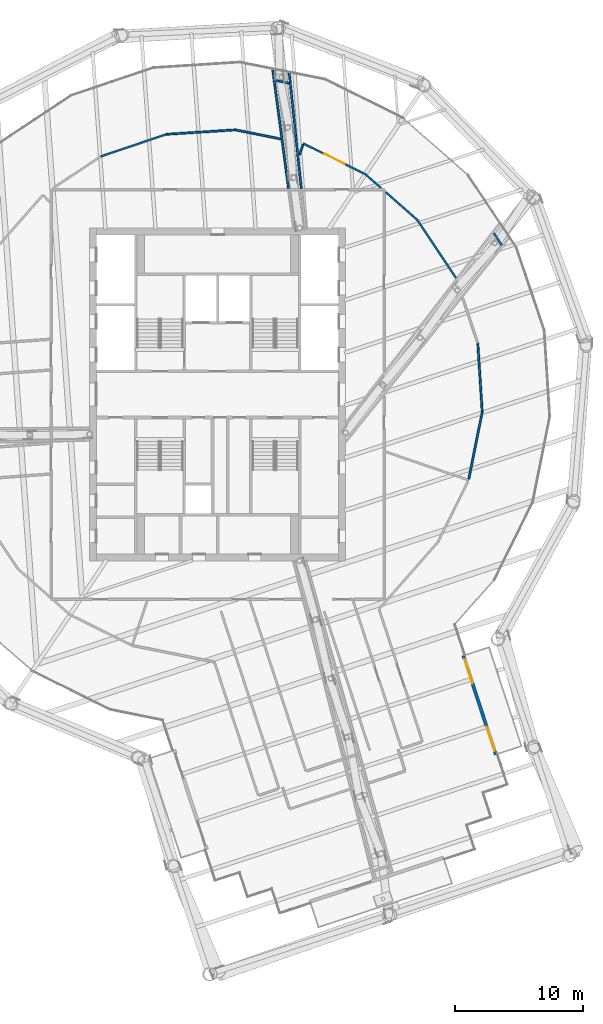
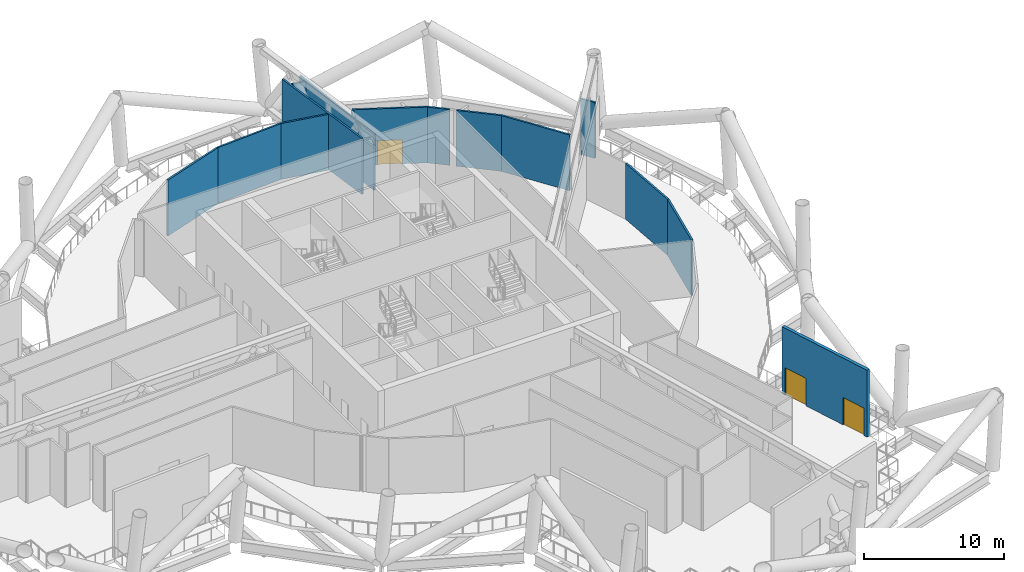
# One storey, part 13 of 33: 15 walls, 3 doors, 3 openings.
"""IFC4 building model written with IfcOpenShell, lengths in metres."""

import ifcopenshell
import ifcopenshell.guid

model = None  # the IFC model being written
_history = None  # IfcOwnerHistory: only IFC2X3 demands one
_inside = {}  # id of a spatial element -> (the spatial element, [elements in it])
_under = {}  # id of a project, library or spatial element -> (it, [spatial elements below it])
_declared = {}  # id of a project -> (the project, [libraries it declares])
_typed = {}  # id of a type object -> (the type object, [elements of that type])
_made_of = {}  # id of a material, layer set ... -> (it, [elements and type objects made of it])


def new_model(schema):
    """Start an empty IFC model of exactly this schema.

    Asked for "IFC4X3", IfcOpenShell would pick the latest addendum, in which some entities
    have other attributes; the version numbers below select the first issue.
    IFC2X3 requires an IfcOwnerHistory on every rooted entity: one is made here for all.
    """
    global model, _history
    if schema == "IFC4X3":
        model = ifcopenshell.file(schema_version=(4, 3, 0, 0))
    else:
        model = ifcopenshell.file(schema=schema)
    _inside.clear()
    _under.clear()
    _declared.clear()
    _typed.clear()
    _made_of.clear()
    _history = None
    if model.schema == "IFC2X3":
        org = make("IfcOrganization", Name="unknown")
        user = make(
            "IfcPersonAndOrganization",
            ThePerson=make("IfcPerson", FamilyName="unknown"),
            TheOrganization=org,
        )
        app = make(
            "IfcApplication",
            ApplicationDeveloper=org,
            Version="unknown",
            ApplicationFullName="unknown",
            ApplicationIdentifier="unknown",
        )
        _history = make(
            "IfcOwnerHistory",
            OwningUser=user,
            OwningApplication=app,
            ChangeAction="ADDED",
            CreationDate=0,
        )
    return model


def make(cls, **values):
    """One entity of the class cls with the attributes given. An attribute that is None is left unset."""
    return model.create_entity(
        cls, **{name: value for name, value in values.items() if value is not None}
    )


def rooted(cls, **values):
    """An entity with a GlobalId (a new one), such as an element, a storey or a relation."""
    return make(cls, GlobalId=ifcopenshell.guid.new(), OwnerHistory=_history, **values)


def si_unit(unit_type, name, prefix=None):
    """IfcSIUnit, for example si_unit("LENGTHUNIT", "METRE", prefix="MILLI")."""
    return make("IfcSIUnit", UnitType=unit_type, Prefix=prefix, Name=name)


def assignment(units):
    """IfcUnitAssignment: the units of a project."""
    return None if units is None else make("IfcUnitAssignment", Units=units)


def point(xyz):
    """IfcCartesianPoint."""
    return None if xyz is None else make("IfcCartesianPoint", Coordinates=xyz)


def direction(xyz):
    """IfcDirection."""
    return None if xyz is None else make("IfcDirection", DirectionRatios=xyz)


def frame(location, z_axis=None, x_axis=None):
    """IfcAxis2Placement3D, a coordinate frame: its origin and axes. An axis left out is left unset."""
    return make(
        "IfcAxis2Placement3D",
        Location=point(location),
        Axis=direction(z_axis),
        RefDirection=direction(x_axis),
    )


def frame_2d(location, x_axis=None):
    """IfcAxis2Placement2D, a coordinate frame in the plane: its origin and x axis."""
    return make(
        "IfcAxis2Placement2D", Location=point(location), RefDirection=direction(x_axis)
    )


def origin():
    """The frame at (0, 0, 0) with its axes left unset."""
    return frame((0.0, 0.0, 0.0))


def place(relative_to, where):
    """IfcLocalPlacement: puts the frame where relative to a parent placement (None: the world)."""
    return make(
        "IfcLocalPlacement", PlacementRelTo=relative_to, RelativePlacement=where
    )


def context(
    kind, dimensions, precision=None, world=None, true_north=None, identifier=None
):
    """IfcGeometricRepresentationContext, for example the 3D "Model" context."""
    return make(
        "IfcGeometricRepresentationContext",
        ContextIdentifier=identifier,
        ContextType=kind,
        CoordinateSpaceDimension=dimensions,
        Precision=precision,
        WorldCoordinateSystem=world,
        TrueNorth=true_north,
    )


def subcontext(parent, identifier, kind, view, scale=None):
    """IfcGeometricRepresentationSubContext, for example "Body" below "Model"."""
    return make(
        "IfcGeometricRepresentationSubContext",
        ContextIdentifier=identifier,
        ContextType=kind,
        ParentContext=parent,
        TargetScale=scale,
        TargetView=view,
    )


def project(units=None, contexts=None):
    """IfcProject with its units and contexts."""
    return rooted(
        "IfcProject",
        Name="project",
        RepresentationContexts=contexts,
        UnitsInContext=assignment(units),
    )


def spatial(cls, under=None, at=None, **own):
    """A site, building, storey or space (cls), placed at a placement, below another one or the project."""
    s = rooted(cls, ObjectPlacement=at, **own)
    if under is not None:
        _under.setdefault(under.id(), (under, []))[1].append(s)
    return s


def profile(cls, at=None, kind="AREA", **sizes):
    """A parametric profile (cls). Its sizes go by their IFC names, for example OverallWidth=200.0."""
    return make(cls, ProfileType=kind, Position=at, **sizes)


def rectangle(**sizes):
    """IfcRectangleProfileDef."""
    return profile("IfcRectangleProfileDef", **sizes)


def extrude(swept, where, along, depth):
    """IfcExtrudedAreaSolid: the profile swept, set in the frame where, extruded along a direction by depth."""
    return make(
        "IfcExtrudedAreaSolid",
        SweptArea=swept,
        Position=where,
        ExtrudedDirection=direction(along),
        Depth=depth,
    )


def shape(context_of_items, identifier, shape_type, items):
    """IfcShapeRepresentation: the items that make up one representation, for example the "Body"."""
    return make(
        "IfcShapeRepresentation",
        ContextOfItems=context_of_items,
        RepresentationIdentifier=identifier,
        RepresentationType=shape_type,
        Items=items,
    )


def material(Name=None, Category=None):
    """IfcMaterial."""
    return make("IfcMaterial", Name=Name, Category=Category)


def layer(
    of_material, thickness, ventilated=None, Name=None, Category=None, Priority=None
):
    """IfcMaterialLayer: one layer of a wall or slab, of a material (None: an air gap)."""
    return make(
        "IfcMaterialLayer",
        Material=of_material,
        LayerThickness=thickness,
        IsVentilated=ventilated,
        Name=Name,
        Category=Category,
        Priority=Priority,
    )


def layer_set(layers, Name=None):
    """IfcMaterialLayerSet."""
    return make("IfcMaterialLayerSet", MaterialLayers=layers, LayerSetName=Name)


def made_of(thing, what):
    """Note that an element or type object is made of a material, layer set ...; save() writes the relation."""
    if what is not None:
        _made_of.setdefault(what.id(), (what, []))[1].append(thing)
    return thing


def type_object(cls, material=None, **own):
    """A type object (cls), such as IfcWallType, which elements share."""
    return made_of(rooted(cls, **own), material)


def element(
    cls,
    number,
    at=None,
    inside=None,
    cuts=None,
    type_object=None,
    material=None,
    context=None,
    identifier="Body",
    shape_type=None,
    held_by="IfcProductDefinitionShape",
    body=None,
    shapes=None,
    **own,
):
    """One element of the class cls, such as IfcWall. Its Tag is "e" and its number.

    at: its placement. inside: the storey or other place that contains it. cuts: it is an
    opening in that element (IfcRelVoidsElement). A single representation is given by context,
    identifier, shape_type and body (its items); several are given by shapes. held_by: the class
    of the entity that holds the representations. save() writes the other relations.
    """
    e = rooted(cls, Tag="e%d" % number, ObjectPlacement=at, **own)
    if body is not None:
        shapes = [shape(context, identifier, shape_type, body)]
    if shapes is not None:
        e.Representation = make(held_by, Representations=shapes)
    if inside is not None:
        _inside.setdefault(inside.id(), (inside, []))[1].append(e)
    if cuts is not None:
        rooted(
            "IfcRelVoidsElement", RelatingBuildingElement=cuts, RelatedOpeningElement=e
        )
    if type_object is not None:
        _typed.setdefault(type_object.id(), (type_object, []))[1].append(e)
    return made_of(e, material)


def fill(opening, filler):
    """IfcRelFillsElement: the door or window that sits in an opening."""
    return rooted(
        "IfcRelFillsElement",
        RelatingOpeningElement=opening,
        RelatedBuildingElement=filler,
    )


def aggregate(whole, parts):
    """IfcRelAggregates: a whole, such as a stair, and the parts it consists of."""
    return rooted("IfcRelAggregates", RelatingObject=whole, RelatedObjects=parts)


def save(model, path):
    """Write the relations noted so far, then the file.

    IfcRelAggregates (storeys below a building ...), IfcRelContainedInSpatialStructure (elements
    in a storey), IfcRelDefinesByType, IfcRelAssociatesMaterial and IfcRelDeclares: one each for
    every whole, place, type object, material and project.
    """
    for whole, parts in _under.values():
        aggregate(whole, parts)
    for where, things in _inside.values():
        rooted(
            "IfcRelContainedInSpatialStructure",
            RelatedElements=things,
            RelatingStructure=where,
        )
    for kind, things in _typed.values():
        rooted("IfcRelDefinesByType", RelatedObjects=things, RelatingType=kind)
    for what, things in _made_of.values():
        rooted("IfcRelAssociatesMaterial", RelatedObjects=things, RelatingMaterial=what)
    for by, libraries in _declared.values():
        rooted("IfcRelDeclares", RelatingContext=by, RelatedDefinitions=libraries)
    model.write(path)


model = new_model("IFC4")

# Units and contexts
model_context = context("Model", 3, precision=1e-05, world=origin(), true_north=direction((0.0, 1.0)))
body_context = subcontext(model_context, "Body", "Model", "MODEL_VIEW")
ifc_project = project(units=[si_unit("LENGTHUNIT", "METRE"), si_unit("AREAUNIT", "SQUARE_METRE"), si_unit("VOLUMEUNIT", "CUBIC_METRE"), si_unit("PLANEANGLEUNIT", "RADIAN"), si_unit("MASSUNIT", "GRAM", prefix="KILO")], contexts=[model_context])

# Site, building, storey
site_placement = place(None, origin())
site = spatial("IfcSite", under=ifc_project, at=site_placement, CompositionType="ELEMENT")
building_placement = place(site_placement, origin())
building = spatial("IfcBuilding", under=site, at=building_placement, Name="Tarsis Ring Headquarters", CompositionType="ELEMENT")
storey_placement = place(building_placement, frame((0.0, 0.0, 302.0)))
storey = spatial("IfcBuildingStorey", under=building, at=storey_placement, Name="L71", CompositionType="ELEMENT", Elevation=302.0)

# Walls
ifc_material_1 = material(Name="Gypsum board on steel studs", Category="steel")
ifc_layer_1 = layer(ifc_material_1, 0.14990234375)
ifc_layer_set_1 = layer_set([ifc_layer_1], Name="FL partition 150 EI 120 H4870")
wall_type_1 = type_object("IfcWallType", Name="FL partition 150 EI 120 H4870", PredefinedType="PARTITIONING", material=ifc_layer_set_1)
wall_1_placement = place(storey_placement, frame((4.30322265625, 25.366455078125, 0.0), z_axis=(0.0, 0.0, 1.0), x_axis=(0.131832373741, -0.991272023833, 0.0)))
element("IfcWall", 1, at=wall_1_placement, inside=storey, type_object=wall_type_1, Name="Partition PW2H487", PredefinedType="PARTITIONING", context=body_context, shape_type="SweptSolid", body=[
    extrude(rectangle(XDim=9.36328125, YDim=0.14990234375, at=frame_2d((4.681640625, 0.0))), origin(), (0.0, 0.0, 1.0), 4.8701171875),
])
wall_2_placement = place(storey_placement, frame((5.59130859375, 25.10888671875, 0.0), z_axis=(0.0, 0.0, 1.0), x_axis=(0.103495745615, -0.994629896313, 0.0)))
element("IfcWall", 2, at=wall_2_placement, inside=storey, type_object=wall_type_1, Name="Partition PW2H487", PredefinedType="PARTITIONING", context=body_context, shape_type="SweptSolid", body=[
    extrude(rectangle(XDim=9.074951171875, YDim=0.14990234375, at=frame_2d((4.53759765625, 0.0))), origin(), (0.0, 0.0, 1.0), 4.8701171875),
])
wall_3_placement = place(storey_placement, frame((15.590087890625, 13.62841796875, 0.0), z_axis=(0.0, 0.0, 1.0), x_axis=(0.55425618098, -0.832346133436, 0.0)))
element("IfcWall", 3, at=wall_3_placement, inside=storey, type_object=wall_type_1, Name="Partition PW2H487", PredefinedType="PARTITIONING", context=body_context, shape_type="SweptSolid", body=[
    extrude(rectangle(XDim=5.45703125, YDim=0.14990234375, at=frame_2d((2.728515625, 0.0))), origin(), (0.0, 0.0, 1.0), 4.8701171875),
])

# Wall, opening, door
wall_4_placement = place(storey_placement, frame((6.687255859375, 19.59765625, 0.0), z_axis=(0.0, 0.0, 1.0), x_axis=(0.896172918914, -0.443704968876, 0.0)))
wall_4 = element("IfcWall", 4, at=wall_4_placement, inside=storey, type_object=wall_type_1, Name="Partition PW2H487", PredefinedType="PARTITIONING", context=body_context, shape_type="SweptSolid", body=[
    extrude(rectangle(XDim=5.405029296875, YDim=0.14990234375, at=frame_2d((2.70263671875, 0.0))), origin(), (0.0, 0.0, 1.0), 4.8701171875),
])
opening_1_placement = place(wall_4_placement, frame((1.802490234375, 0.0, 0.0)))
opening_1 = element("IfcOpeningElement", 5, at=opening_1_placement, cuts=wall_4, Name="Opening D71.17", PredefinedType="OPENING", context=body_context, shape_type="SweptSolid", body=[
    extrude(rectangle(XDim=1.800048828125, YDim=2.10009765625, at=frame_2d((0.89990234375, 1.050048828125))), frame((0.0, 0.0849609375, 0.0), z_axis=(0.0, -1.0, 0.0), x_axis=(1.0, 0.0, 0.0)), (0.0, 0.0, 1.0), 0.169921875),
])
ifc_material_2 = material(Name="Fire-rated timber door leaf in steel frame", Category="steel")
door_type_1 = type_object("IfcDoorType", Name="FL door FD120-1800", OperationType="DOUBLE_DOOR_SINGLE_SWING", PredefinedType="DOOR", material=ifc_material_2)
door_1_placement = place(opening_1_placement, origin())
door_1 = element("IfcDoor", 6, at=door_1_placement, inside=storey, type_object=door_type_1, Name="Door D71.17", OperationType="DOUBLE_DOOR_SINGLE_SWING", OverallHeight=2.10009765625, OverallWidth=1.800048828125, PredefinedType="DOOR", context=body_context, shape_type="SweptSolid", body=[
    extrude(rectangle(XDim=1.800048828125, YDim=2.10009765625, at=frame_2d((0.89990234375, 1.050048828125))), frame((0.0, 0.02490234375, 0.0), z_axis=(0.0, -1.0, 0.0), x_axis=(1.0, 0.0, 0.0)), (0.0, 0.0, 1.0), 0.050048828125),
])
fill(opening_1, door_1)

# Walls
wall_5_placement = place(storey_placement, frame((19.613525390625, -6.608154296875, 0.0), z_axis=(0.0, 0.0, 1.0), x_axis=(0.196645130209, 0.980474728264, 0.0)))
element("IfcWall", 7, at=wall_5_placement, inside=storey, type_object=wall_type_1, Name="Partition PW2H487", PredefinedType="PARTITIONING", context=body_context, shape_type="SweptSolid", body=[
    extrude(rectangle(XDim=5.324951171875, YDim=0.14990234375, at=frame_2d((2.66259765625, 0.0))), origin(), (0.0, 0.0, 1.0), 4.8701171875),
])
wall_6_placement = place(storey_placement, frame((-4.007568359375, 20.315673828125, 0.0), z_axis=(0.0, 0.0, 1.0), x_axis=(0.997961194091, 0.063823624842, 0.0)))
element("IfcWall", 8, at=wall_6_placement, inside=storey, type_object=wall_type_1, Name="Partition PW2H487", PredefinedType="PARTITIONING", context=body_context, shape_type="SweptSolid", body=[
    extrude(rectangle(XDim=5.405029296875, YDim=0.14990234375, at=frame_2d((2.70263671875, 0.0))), origin(), (0.0, 0.0, 1.0), 4.8701171875),
])
for number, where, z_axis, x_axis, name in (
    (9, (20.315673828125, 4.007568359375, 0.0), (0.0, 0.0, 1.0), (0.063806594079, -0.997962283131, 0.0), "Partition PW2H487"),
    (10, (-9.12890625, 18.586181640625, 0.0), (0.0, 0.0, 1.0), (0.947436047667, 0.319945207155, 0.0), "Partition PW2H487"),
):
    element("IfcWall", number, at=place(storey_placement, frame(where, z_axis=z_axis, x_axis=x_axis)), inside=storey, type_object=wall_type_1, Name=name, PredefinedType="PARTITIONING", context=body_context, shape_type="SweptSolid", body=[
        extrude(rectangle(XDim=5.39501953125, YDim=0.14990234375, at=frame_2d((2.697509765625, 0.0))), origin(), (0.0, 0.0, 1.0), 4.8701171875),
    ])
wall_7_placement = place(storey_placement, frame((1.39697265625, 20.65869140625, 0.0), z_axis=(0.0, 0.0, 1.0), x_axis=(0.980478947094, -0.196624093908, 0.0)))
element("IfcWall", 11, at=wall_7_placement, inside=storey, type_object=wall_type_1, Name="Partition PW2H487", PredefinedType="PARTITIONING", context=body_context, shape_type="SweptSolid", body=[
    extrude(rectangle(XDim=3.6044921875, YDim=0.14990234375, at=frame_2d((1.80224609375, 0.0))), origin(), (0.0, 0.0, 1.0), 4.8701171875),
])
wall_8_placement = place(storey_placement, frame((13.1142578125, 15.806640625, 0.0), z_axis=(0.0, 0.0, 1.0), x_axis=(0.750788659435, -0.66054249588, 0.0)))
element("IfcWall", 12, at=wall_8_placement, inside=storey, type_object=wall_type_1, Name="Partition PW2H487", PredefinedType="PARTITIONING", context=body_context, shape_type="SweptSolid", body=[
    extrude(rectangle(XDim=3.286865234375, YDim=0.14990234375, at=frame_2d((1.6435546875, 0.0))), origin(), (0.0, 0.0, 1.0), 4.8701171875),
])
wall_9_placement = place(storey_placement, frame((11.5390625, 17.1923828125, 0.0), z_axis=(0.0, 0.0, 1.0), x_axis=(0.750850728181, -0.660471940351, 0.0)))
element("IfcWall", 13, at=wall_9_placement, inside=storey, type_object=wall_type_1, Name="Partition PW2H487", PredefinedType="PARTITIONING", context=body_context, shape_type="SweptSolid", body=[
    extrude(rectangle(XDim=1.62353515625, YDim=0.14990234375, at=frame_2d((0.811767578125, 0.0))), origin(), (0.0, 0.0, 1.0), 4.8701171875),
])
wall_10_placement = place(storey_placement, frame((21.555908203125, 12.60791015625, 0.0), z_axis=(0.0, 0.0, 1.0), x_axis=(0.554254109889, -0.832347512564, 0.0)))
element("IfcWall", 14, at=wall_10_placement, inside=storey, type_object=wall_type_1, Name="Partition PW2H487", PredefinedType="PARTITIONING", context=body_context, shape_type="SweptSolid", body=[
    extrude(rectangle(XDim=1.136962890625, YDim=0.14990234375, at=frame_2d((0.568359375, 0.0))), origin(), (0.0, 0.0, 1.0), 4.8701171875),
])
wall_11_placement = place(storey_placement, frame((4.509765625, 24.52197265625, 0.0), z_axis=(0.0, 0.0, 1.0), x_axis=(0.980460121622, -0.196717945059, 0.0)))
element("IfcWall", 15, at=wall_11_placement, inside=storey, type_object=wall_type_1, Name="Partition PW2H487", PredefinedType="PARTITIONING", context=body_context, shape_type="SweptSolid", body=[
    extrude(rectangle(XDim=1.092041015625, YDim=0.14990234375, at=frame_2d((0.5458984375, 0.0))), origin(), (0.0, 0.0, 1.0), 4.8701171875),
])
wall_12_placement = place(storey_placement, frame((6.3876953125, 18.720947265625, 0.0), z_axis=(0.0, 0.0, 1.0), x_axis=(0.323074356136, 0.946373583955, 0.0)))
element("IfcWall", 16, at=wall_12_placement, inside=storey, type_object=wall_type_1, Name="Partition PW2H487", PredefinedType="PARTITIONING", context=body_context, shape_type="SweptSolid", body=[
    extrude(rectangle(XDim=0.843994140625, YDim=0.14990234375, at=frame_2d((0.421875, 0.0))), origin(), (0.0, 0.0, 1.0), 4.8701171875),
])

# Wall, openings, doors
ifc_material_3 = material(Name="Terracotta clad insulated panel wall", Category="masonry")
ifc_layer_2 = layer(ifc_material_3, 0.25)
ifc_layer_set_2 = layer_set([ifc_layer_2], Name="Facade wall terracotta panel 250")
wall_type_2 = type_object("IfcWallType", Name="Facade wall terracotta panel 250", PredefinedType="STANDARD", material=ifc_layer_set_2)
wall_13_placement = place(storey_placement, frame((21.724609375, -28.13037109375, 0.0), z_axis=(0.0, 0.0, 1.0), x_axis=(-0.311668595083, 0.950190868636, 0.0)))
wall_13 = element("IfcWall", 17, at=wall_13_placement, inside=storey, type_object=wall_type_2, Name="External wall L71-04", PredefinedType="STANDARD", context=body_context, shape_type="SweptSolid", body=[
    extrude(rectangle(XDim=8.1513671875, YDim=0.25, at=frame_2d((4.07568359375, 0.0))), origin(), (0.0, 0.0, 1.0), 5.840087890625),
])
opening_2_placement = place(wall_13_placement, frame((0.300048828125, 0.0, 0.0)))
opening_2 = element("IfcOpeningElement", 18, at=opening_2_placement, cuts=wall_13, Name="Opening L71-BD06", PredefinedType="OPENING", context=body_context, shape_type="SweptSolid", body=[
    extrude(rectangle(XDim=2.0, YDim=2.39990234375, at=frame_2d((1.0, 1.199951171875))), frame((0.0, 0.135009765625, 0.0), z_axis=(0.0, -1.0, 0.0), x_axis=(1.0, 0.0, 0.0)), (0.0, 0.0, 1.0), 0.27001953125),
])
opening_3_placement = place(wall_13_placement, frame((5.851318359375, 0.0, 0.0)))
opening_3 = element("IfcOpeningElement", 19, at=opening_3_placement, cuts=wall_13, Name="Opening L71-BD07", PredefinedType="OPENING", context=body_context, shape_type="SweptSolid", body=[
    extrude(rectangle(XDim=2.0, YDim=2.39990234375, at=frame_2d((1.0, 1.199951171875))), frame((0.0, 0.135009765625, 0.0), z_axis=(0.0, -1.0, 0.0), x_axis=(1.0, 0.0, 0.0)), (0.0, 0.0, 1.0), 0.27001953125),
])
ifc_material_4 = material(Name="Aluminium framed double glazing", Category="aluminium")
door_type_2 = type_object("IfcDoorType", Name="Balcony sliding door 2000 x 2400", OperationType="SLIDING_TO_LEFT", PredefinedType="DOOR", material=ifc_material_4)
door_2_placement = place(opening_2_placement, origin())
door_2 = element("IfcDoor", 20, at=door_2_placement, inside=storey, type_object=door_type_2, Name="Door L71-BD06", OperationType="SINGLE_SWING_LEFT", OverallHeight=2.39990234375, OverallWidth=2.0, PredefinedType="DOOR", context=body_context, shape_type="SweptSolid", body=[
    extrude(rectangle(XDim=2.0, YDim=2.39990234375, at=frame_2d((1.0, 1.199951171875))), frame((0.0, 0.02490234375, 0.0), z_axis=(0.0, -1.0, 0.0), x_axis=(1.0, 0.0, 0.0)), (0.0, 0.0, 1.0), 0.050048828125),
])
fill(opening_2, door_2)
door_3_placement = place(opening_3_placement, origin())
door_3 = element("IfcDoor", 21, at=door_3_placement, inside=storey, type_object=door_type_2, Name="Door L71-BD07", OperationType="SINGLE_SWING_LEFT", OverallHeight=2.39990234375, OverallWidth=2.0, PredefinedType="DOOR", context=body_context, shape_type="SweptSolid", body=[
    extrude(rectangle(XDim=2.0, YDim=2.39990234375, at=frame_2d((1.0, 1.199951171875))), frame((0.0, 0.02490234375, 0.0), z_axis=(0.0, -1.0, 0.0), x_axis=(1.0, 0.0, 0.0)), (0.0, 0.0, 1.0), 0.050048828125),
])
fill(opening_3, door_3)

save(model, "model.ifc")
